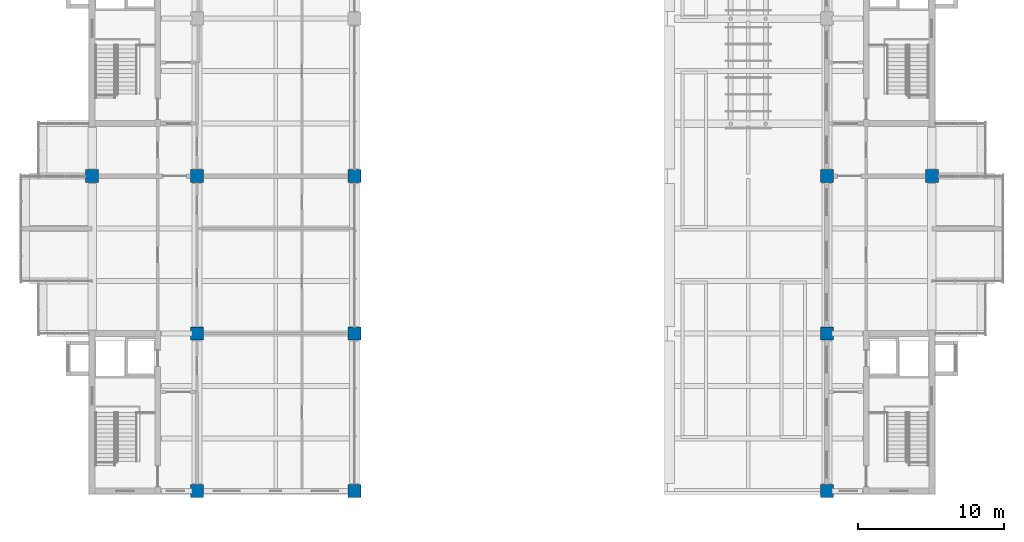
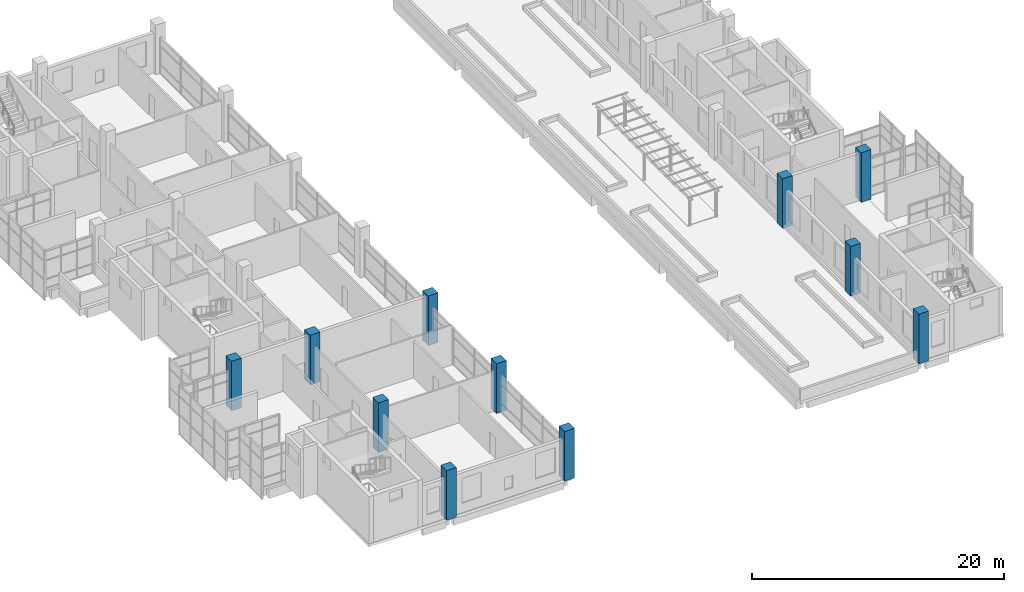
# One storey, part 1 of 32: 11 columns.
"""IFC4 building model written with IfcOpenShell, lengths in metres."""

from ifc_helpers import new_model, si_unit, direction, frame, origin, origin_2d, place, context, subcontext, project, spatial, rectangle, extrude, material, material_profile, profile_set, type_object, element, save


model = new_model("IFC4")

# Units and contexts
model_context = context("Model", 3, precision=1e-05, world=origin(), true_north=direction((0.0, 1.0)))
body_context = subcontext(model_context, "Body", "Model", "MODEL_VIEW")
ifc_project = project(units=[si_unit("LENGTHUNIT", "METRE"), si_unit("AREAUNIT", "SQUARE_METRE"), si_unit("VOLUMEUNIT", "CUBIC_METRE"), si_unit("PLANEANGLEUNIT", "RADIAN"), si_unit("MASSUNIT", "GRAM", prefix="KILO")], contexts=[model_context])

# Site, building, storey
site_placement = place(None, origin())
site = spatial("IfcSite", under=ifc_project, at=site_placement, CompositionType="ELEMENT")
building_placement = place(site_placement, origin())
building = spatial("IfcBuilding", under=site, at=building_placement, Name="Basin Gate Institute", CompositionType="ELEMENT")
storey_placement = place(building_placement, frame((0.0, 0.0, 41.39990234375)))
storey = spatial("IfcBuildingStorey", under=building, at=storey_placement, Name="L08", CompositionType="ELEMENT", Elevation=41.39990234375)

# Columns
ifc_material = material(Name="Concrete 50 MPa", Category="concrete")
ifc_material_profile = material_profile(ifc_material, rectangle(XDim=0.89990234375, YDim=0.89990234375, at=origin_2d()), Name="Column C3 900 x 900")
ifc_profile_set = profile_set([ifc_material_profile], Name="Concrete 50 MPa")
column_type = type_object("IfcColumnType", Name="Column C3 R120", PredefinedType="COLUMN", material=ifc_profile_set)
for number, where, z_axis, x_axis, name in (
    (1, (61.199951171875, 56.699951171875, 0.0), (0.0, 0.0, 1.0), (1.0, 0.0, 0.0), "COL/L08/4C"),
    (2, (68.39990234375, 35.10009765625, 0.0), (0.0, 0.0, 1.0), (1.0, 0.0, 0.0), "COL/L08/5A"),
    (3, (68.39990234375, 45.89990234375, 0.0), (0.0, 0.0, 1.0), (1.0, 0.0, 0.0), "COL/L08/5B"),
    (4, (68.39990234375, 56.699951171875, 0.0), (0.0, 0.0, 1.0), (1.0, 0.0, 0.0), "COL/L08/5C"),
    (5, (79.199951171875, 35.10009765625, 0.0), (0.0, 0.0, 1.0), (1.0, 0.0, 0.0), "COL/L08/6A"),
    (6, (79.199951171875, 45.89990234375, 0.0), (0.0, 0.0, 1.0), (1.0, 0.0, 0.0), "COL/L08/6B"),
    (7, (79.199951171875, 56.699951171875, 0.0), (0.0, 0.0, 1.0), (1.0, 0.0, 0.0), "COL/L08/6C"),
    (8, (118.800048828125, 56.699951171875, 0.0), (0.0, 0.0, 1.0), (1.0, 0.0, 0.0), "COL/L08/9C"),
    (9, (111.60009765625, 35.10009765625, 0.0), (0.0, 0.0, 1.0), (1.0, 0.0, 0.0), "COL/L08/8A"),
    (10, (111.60009765625, 45.89990234375, 0.0), (0.0, 0.0, 1.0), (1.0, 0.0, 0.0), "COL/L08/8B"),
    (11, (111.60009765625, 56.699951171875, 0.0), (0.0, 0.0, 1.0), (1.0, 0.0, 0.0), "COL/L08/8C"),
):
    element("IfcColumn", number, at=place(storey_placement, frame(where, z_axis=z_axis, x_axis=x_axis)), inside=storey, type_object=column_type, material=ifc_profile_set, Name=name, PredefinedType="COLUMN", context=body_context, shape_type="SweptSolid", body=[
        extrude(rectangle(XDim=0.89990234375, YDim=0.89990234375, at=origin_2d()), origin(), (0.0, 0.0, 1.0), 4.800048828125),
    ])

save(model, "model.ifc")
